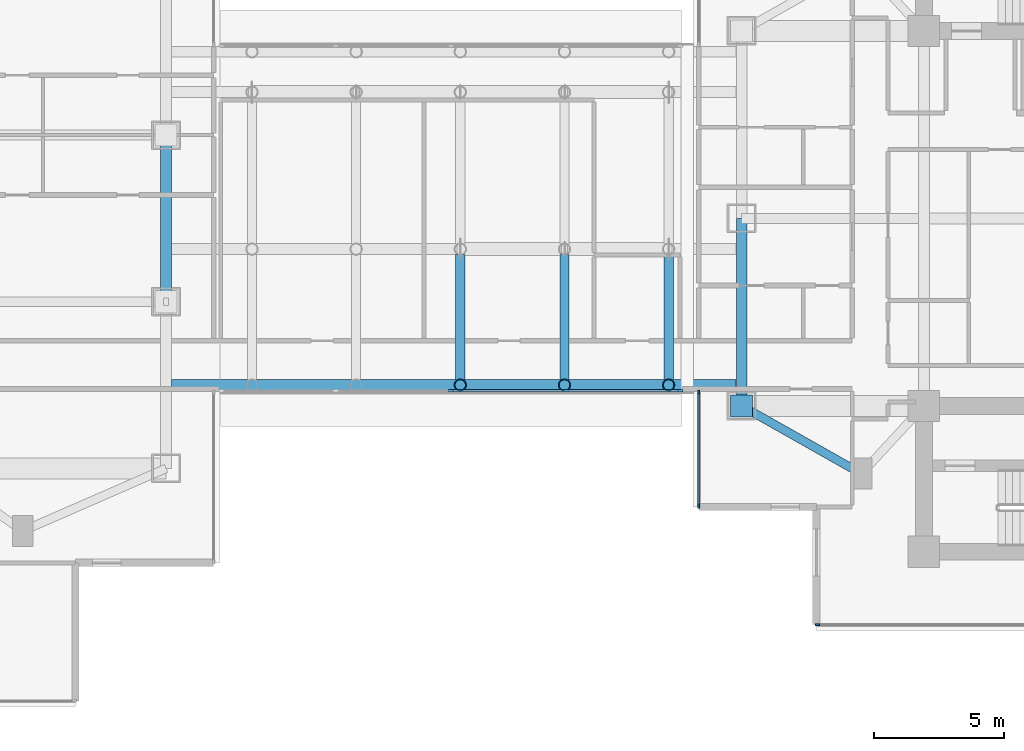
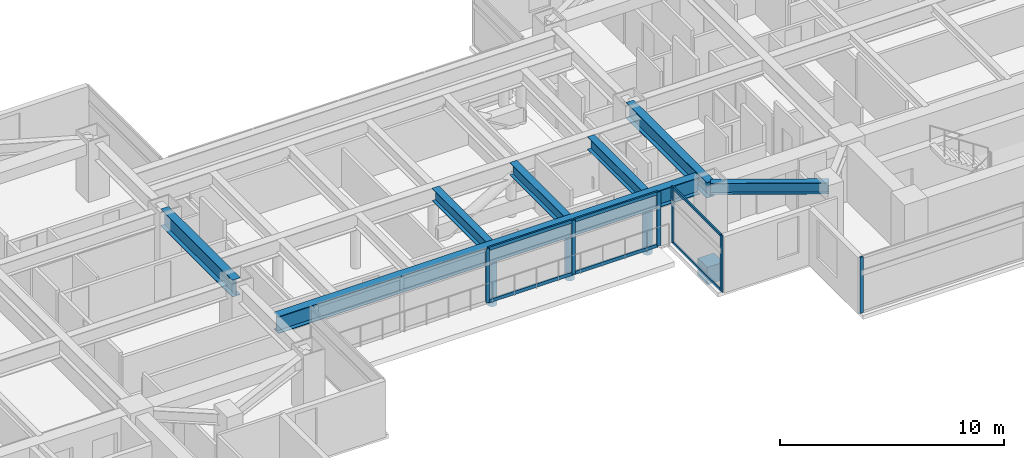
# One storey, part 5 of 29: 16 members, 7 beams, 3 elements without a shape of their own.
"""IFC4 building model written with IfcOpenShell, lengths in metres."""

import ifcopenshell
import ifcopenshell.guid

model = None  # the IFC model being written
_history = None  # IfcOwnerHistory: only IFC2X3 demands one
_inside = {}  # id of a spatial element -> (the spatial element, [elements in it])
_under = {}  # id of a project, library or spatial element -> (it, [spatial elements below it])
_declared = {}  # id of a project -> (the project, [libraries it declares])
_typed = {}  # id of a type object -> (the type object, [elements of that type])
_made_of = {}  # id of a material, layer set ... -> (it, [elements and type objects made of it])


def new_model(schema):
    """Start an empty IFC model of exactly this schema.

    Asked for "IFC4X3", IfcOpenShell would pick the latest addendum, in which some entities
    have other attributes; the version numbers below select the first issue.
    IFC2X3 requires an IfcOwnerHistory on every rooted entity: one is made here for all.
    """
    global model, _history
    if schema == "IFC4X3":
        model = ifcopenshell.file(schema_version=(4, 3, 0, 0))
    else:
        model = ifcopenshell.file(schema=schema)
    _inside.clear()
    _under.clear()
    _declared.clear()
    _typed.clear()
    _made_of.clear()
    _history = None
    if model.schema == "IFC2X3":
        org = make("IfcOrganization", Name="unknown")
        user = make(
            "IfcPersonAndOrganization",
            ThePerson=make("IfcPerson", FamilyName="unknown"),
            TheOrganization=org,
        )
        app = make(
            "IfcApplication",
            ApplicationDeveloper=org,
            Version="unknown",
            ApplicationFullName="unknown",
            ApplicationIdentifier="unknown",
        )
        _history = make(
            "IfcOwnerHistory",
            OwningUser=user,
            OwningApplication=app,
            ChangeAction="ADDED",
            CreationDate=0,
        )
    return model


def make(cls, **values):
    """One entity of the class cls with the attributes given. An attribute that is None is left unset."""
    return model.create_entity(
        cls, **{name: value for name, value in values.items() if value is not None}
    )


def rooted(cls, **values):
    """An entity with a GlobalId (a new one), such as an element, a storey or a relation."""
    return make(cls, GlobalId=ifcopenshell.guid.new(), OwnerHistory=_history, **values)


def si_unit(unit_type, name, prefix=None):
    """IfcSIUnit, for example si_unit("LENGTHUNIT", "METRE", prefix="MILLI")."""
    return make("IfcSIUnit", UnitType=unit_type, Prefix=prefix, Name=name)


def assignment(units):
    """IfcUnitAssignment: the units of a project."""
    return None if units is None else make("IfcUnitAssignment", Units=units)


def point(xyz):
    """IfcCartesianPoint."""
    return None if xyz is None else make("IfcCartesianPoint", Coordinates=xyz)


def direction(xyz):
    """IfcDirection."""
    return None if xyz is None else make("IfcDirection", DirectionRatios=xyz)


def frame(location, z_axis=None, x_axis=None):
    """IfcAxis2Placement3D, a coordinate frame: its origin and axes. An axis left out is left unset."""
    return make(
        "IfcAxis2Placement3D",
        Location=point(location),
        Axis=direction(z_axis),
        RefDirection=direction(x_axis),
    )


def frame_2d(location, x_axis=None):
    """IfcAxis2Placement2D, a coordinate frame in the plane: its origin and x axis."""
    return make(
        "IfcAxis2Placement2D", Location=point(location), RefDirection=direction(x_axis)
    )


def origin():
    """The frame at (0, 0, 0) with its axes left unset."""
    return frame((0.0, 0.0, 0.0))


def origin_2d():
    """The frame at (0, 0) in the plane with its x axis left unset."""
    return frame_2d((0.0, 0.0))


def place(relative_to, where):
    """IfcLocalPlacement: puts the frame where relative to a parent placement (None: the world)."""
    return make(
        "IfcLocalPlacement", PlacementRelTo=relative_to, RelativePlacement=where
    )


def context(
    kind, dimensions, precision=None, world=None, true_north=None, identifier=None
):
    """IfcGeometricRepresentationContext, for example the 3D "Model" context."""
    return make(
        "IfcGeometricRepresentationContext",
        ContextIdentifier=identifier,
        ContextType=kind,
        CoordinateSpaceDimension=dimensions,
        Precision=precision,
        WorldCoordinateSystem=world,
        TrueNorth=true_north,
    )


def subcontext(parent, identifier, kind, view, scale=None):
    """IfcGeometricRepresentationSubContext, for example "Body" below "Model"."""
    return make(
        "IfcGeometricRepresentationSubContext",
        ContextIdentifier=identifier,
        ContextType=kind,
        ParentContext=parent,
        TargetScale=scale,
        TargetView=view,
    )


def project(units=None, contexts=None):
    """IfcProject with its units and contexts."""
    return rooted(
        "IfcProject",
        Name="project",
        RepresentationContexts=contexts,
        UnitsInContext=assignment(units),
    )


def spatial(cls, under=None, at=None, **own):
    """A site, building, storey or space (cls), placed at a placement, below another one or the project."""
    s = rooted(cls, ObjectPlacement=at, **own)
    if under is not None:
        _under.setdefault(under.id(), (under, []))[1].append(s)
    return s


def profile(cls, at=None, kind="AREA", **sizes):
    """A parametric profile (cls). Its sizes go by their IFC names, for example OverallWidth=200.0."""
    return make(cls, ProfileType=kind, Position=at, **sizes)


def rectangle(**sizes):
    """IfcRectangleProfileDef."""
    return profile("IfcRectangleProfileDef", **sizes)


def hollow_circle(**sizes):
    """IfcCircleHollowProfileDef."""
    return profile("IfcCircleHollowProfileDef", **sizes)


def i_section(**sizes):
    """IfcIShapeProfileDef."""
    return profile("IfcIShapeProfileDef", **sizes)


def extrude(swept, where, along, depth):
    """IfcExtrudedAreaSolid: the profile swept, set in the frame where, extruded along a direction by depth."""
    return make(
        "IfcExtrudedAreaSolid",
        SweptArea=swept,
        Position=where,
        ExtrudedDirection=direction(along),
        Depth=depth,
    )


def shape(context_of_items, identifier, shape_type, items):
    """IfcShapeRepresentation: the items that make up one representation, for example the "Body"."""
    return make(
        "IfcShapeRepresentation",
        ContextOfItems=context_of_items,
        RepresentationIdentifier=identifier,
        RepresentationType=shape_type,
        Items=items,
    )


def material(Name=None, Category=None):
    """IfcMaterial."""
    return make("IfcMaterial", Name=Name, Category=Category)


def material_profile(
    of_material, cross_section, Name=None, Category=None, Priority=None
):
    """IfcMaterialProfile: a cross section and its material."""
    return make(
        "IfcMaterialProfile",
        Name=Name,
        Material=of_material,
        Profile=cross_section,
        Priority=Priority,
        Category=Category,
    )


def profile_set(profiles, Name=None, composite=None):
    """IfcMaterialProfileSet."""
    return make(
        "IfcMaterialProfileSet",
        Name=Name,
        MaterialProfiles=profiles,
        CompositeProfile=composite,
    )


def made_of(thing, what):
    """Note that an element or type object is made of a material, layer set ...; save() writes the relation."""
    if what is not None:
        _made_of.setdefault(what.id(), (what, []))[1].append(thing)
    return thing


def type_object(cls, material=None, **own):
    """A type object (cls), such as IfcWallType, which elements share."""
    return made_of(rooted(cls, **own), material)


def element(
    cls,
    number,
    at=None,
    inside=None,
    cuts=None,
    type_object=None,
    material=None,
    context=None,
    identifier="Body",
    shape_type=None,
    held_by="IfcProductDefinitionShape",
    body=None,
    shapes=None,
    **own,
):
    """One element of the class cls, such as IfcWall. Its Tag is "e" and its number.

    at: its placement. inside: the storey or other place that contains it. cuts: it is an
    opening in that element (IfcRelVoidsElement). A single representation is given by context,
    identifier, shape_type and body (its items); several are given by shapes. held_by: the class
    of the entity that holds the representations. save() writes the other relations.
    """
    e = rooted(cls, Tag="e%d" % number, ObjectPlacement=at, **own)
    if body is not None:
        shapes = [shape(context, identifier, shape_type, body)]
    if shapes is not None:
        e.Representation = make(held_by, Representations=shapes)
    if inside is not None:
        _inside.setdefault(inside.id(), (inside, []))[1].append(e)
    if cuts is not None:
        rooted(
            "IfcRelVoidsElement", RelatingBuildingElement=cuts, RelatedOpeningElement=e
        )
    if type_object is not None:
        _typed.setdefault(type_object.id(), (type_object, []))[1].append(e)
    return made_of(e, material)


def aggregate(whole, parts):
    """IfcRelAggregates: a whole, such as a stair, and the parts it consists of."""
    return rooted("IfcRelAggregates", RelatingObject=whole, RelatedObjects=parts)


def save(model, path):
    """Write the relations noted so far, then the file.

    IfcRelAggregates (storeys below a building ...), IfcRelContainedInSpatialStructure (elements
    in a storey), IfcRelDefinesByType, IfcRelAssociatesMaterial and IfcRelDeclares: one each for
    every whole, place, type object, material and project.
    """
    for whole, parts in _under.values():
        aggregate(whole, parts)
    for where, things in _inside.values():
        rooted(
            "IfcRelContainedInSpatialStructure",
            RelatedElements=things,
            RelatingStructure=where,
        )
    for kind, things in _typed.values():
        rooted("IfcRelDefinesByType", RelatedObjects=things, RelatingType=kind)
    for what, things in _made_of.values():
        rooted("IfcRelAssociatesMaterial", RelatedObjects=things, RelatingMaterial=what)
    for by, libraries in _declared.values():
        rooted("IfcRelDeclares", RelatingContext=by, RelatedDefinitions=libraries)
    model.write(path)


model = new_model("IFC4")

# Units and contexts
model_context = context("Model", 3, precision=1e-05, world=origin(), true_north=direction((0.0, 1.0)))
body_context = subcontext(model_context, "Body", "Model", "MODEL_VIEW")
ifc_project = project(units=[si_unit("LENGTHUNIT", "METRE"), si_unit("AREAUNIT", "SQUARE_METRE"), si_unit("VOLUMEUNIT", "CUBIC_METRE"), si_unit("PLANEANGLEUNIT", "RADIAN"), si_unit("MASSUNIT", "GRAM", prefix="KILO")], contexts=[model_context])

# Site, building, storey
site_placement = place(None, origin())
site = spatial("IfcSite", under=ifc_project, at=site_placement, CompositionType="ELEMENT")
building_placement = place(site_placement, origin())
building = spatial("IfcBuilding", under=site, at=building_placement, Name="Mirazonda Arch Towers", CompositionType="ELEMENT")
storey_placement = place(building_placement, frame((0.0, 0.0, 88.39990234375)))
storey = spatial("IfcBuildingStorey", under=building, at=storey_placement, Name="L24", CompositionType="ELEMENT", Elevation=88.39990234375)

# Beams
ifc_material_1 = material(Name="Steel ASTM A992 Grade 50", Category="steel")
ifc_material_profile_1 = material_profile(ifc_material_1, i_section(OverallWidth=0.39990234375, OverallDepth=0.85595703125, WebThickness=0.018310546875, FlangeThickness=0.029296875, at=origin_2d()), Name="W33X201")
ifc_profile_set_1 = profile_set([ifc_material_profile_1], Name="Steel ASTM A992 Grade 50")
beam_type_1 = type_object("IfcBeamType", Name="BM-EXT-W33X201", PredefinedType="USERDEFINED", material=ifc_profile_set_1)
beam_1_placement = place(storey_placement, frame((61.0, 20.800048828125, 2.652099609375), z_axis=(0.0, 1.0, 0.0), x_axis=(-1.0, 0.0, 0.0)))
element("IfcBeam", 1, at=beam_1_placement, inside=storey, type_object=beam_type_1, Name="L24 Floor Beam BM-T2-L24-NS-W-20", ObjectType="GIRDER", PredefinedType="USERDEFINED", context=body_context, shape_type="SweptSolid", body=[
    extrude(i_section(OverallWidth=0.39990234375, OverallDepth=0.85595703125, WebThickness=0.018310546875, FlangeThickness=0.029296875, at=origin_2d()), origin(), (0.0, 0.0, 1.0), 7.199951171875),
])
ifc_material_profile_2 = material_profile(ifc_material_1, i_section(OverallWidth=0.41796875, OverallDepth=0.927001953125, WebThickness=0.019287109375, FlangeThickness=0.031982421875, at=origin_2d()), Name="W36X231")
ifc_profile_set_2 = profile_set([ifc_material_profile_2], Name="Steel ASTM A992 Grade 50")
beam_type_2 = type_object("IfcBeamType", Name="BM-EXT-W36X231", PredefinedType="USERDEFINED", material=ifc_profile_set_2)
beam_2_placement = place(storey_placement, frame((38.89990234375, 24.800048828125, 2.61669921875), z_axis=(0.0, 1.0, 0.0), x_axis=(-1.0, 0.0, 0.0)))
element("IfcBeam", 2, at=beam_2_placement, inside=storey, type_object=beam_type_2, Name="L24 Floor Beam BM-T1-L24-NS-E-24", ObjectType="GIRDER", PredefinedType="USERDEFINED", context=body_context, shape_type="SweptSolid", body=[
    extrude(i_section(OverallWidth=0.41796875, OverallDepth=0.927001953125, WebThickness=0.019287109375, FlangeThickness=0.031982421875, at=origin_2d()), origin(), (0.0, 0.0, 1.0), 6.39990234375),
])
beam_3_placement = place(storey_placement, frame((39.10400390625, 21.60009765625, 2.556640625), z_axis=(1.0, 0.0, 0.0), x_axis=(0.0, 1.0, 0.0)))
element("IfcBeam", 3, at=beam_3_placement, inside=storey, type_object=beam_type_2, Name="L25 Skybridge S Longitudinal Box Girder", ObjectType="GIRDER", PredefinedType="USERDEFINED", context=body_context, shape_type="SweptSolid", body=[
    extrude(i_section(OverallWidth=0.41796875, OverallDepth=0.927001953125, WebThickness=0.019287109375, FlangeThickness=0.031982421875, at=origin_2d()), origin(), (0.0, 0.0, 1.0), 21.69189453125),
])
ifc_material_profile_3 = material_profile(ifc_material_1, i_section(OverallWidth=0.324951171875, OverallDepth=0.615966796875, WebThickness=0.013916015625, FlangeThickness=0.021484375, at=origin_2d()), Name="W24X117")
ifc_profile_set_3 = profile_set([ifc_material_profile_3], Name="Steel ASTM A992 Grade 50")
beam_type_3 = type_object("IfcBeamType", Name="BM-INT-W24X117", PredefinedType="BEAM", material=ifc_profile_set_3)
beam_4_placement = place(storey_placement, frame((65.60009765625, 18.199951171875, 2.772216796875), z_axis=(-0.870559396632, 0.492063346467, 0.0), x_axis=(-0.492063346467, -0.870559396632, 0.0)))
element("IfcBeam", 4, at=beam_4_placement, inside=storey, type_object=beam_type_3, Name="L24 Floor Beam BM-T2-L24-PL-SW2", PredefinedType="BEAM", context=body_context, shape_type="SweptSolid", body=[
    extrude(i_section(OverallWidth=0.324951171875, OverallDepth=0.615966796875, WebThickness=0.013916015625, FlangeThickness=0.021484375, at=origin_2d()), origin(), (0.0, 0.0, 1.0), 5.2841796875),
])
ifc_material_profile_4 = material_profile(ifc_material_1, i_section(OverallWidth=0.35498046875, OverallDepth=0.696044921875, WebThickness=0.015380859375, FlangeThickness=0.02490234375, at=origin_2d()), Name="W27X146")
ifc_profile_set_4 = profile_set([ifc_material_profile_4], Name="Steel ASTM A992 Grade 50")
beam_type_4 = type_object("IfcBeamType", Name="BM-INT-W27X146", PredefinedType="BEAM", material=ifc_profile_set_4)
for number, where, z_axis, x_axis, name in (
    (5, (50.199951171875, 21.803955078125, 2.672119140625), (0.0, 1.0, 0.0), (-1.0, 0.0, 0.0), "L24 Floor Beam BM-BRG-L25-XG3A"),
    (6, (54.199951171875, 21.803955078125, 2.672119140625), (0.0, 1.0, 0.0), (-1.0, 0.0, 0.0), "L24 Floor Beam BM-BRG-L25-XG4A"),
    (7, (58.199951171875, 21.803955078125, 2.672119140625), (0.0, 1.0, 0.0), (-1.0, 0.0, 0.0), "L24 Floor Beam BM-BRG-L25-XG5A"),
):
    element("IfcBeam", number, at=place(storey_placement, frame(where, z_axis=z_axis, x_axis=x_axis)), inside=storey, type_object=beam_type_4, Name=name, PredefinedType="BEAM", context=body_context, shape_type="SweptSolid", body=[
        extrude(i_section(OverallWidth=0.35498046875, OverallDepth=0.696044921875, WebThickness=0.015380859375, FlangeThickness=0.02490234375, at=origin_2d()), origin(), (0.0, 0.0, 1.0), 4.81201171875),
    ])

# Members
ifc_material_2 = material(Name="Steel ASTM A572 Grade 50", Category="steel")
ifc_material_profile_5 = material_profile(ifc_material_2, hollow_circle(Radius=0.228515625, WallThickness=0.02197265625, at=origin_2d()), Name="BELTSTRUT457x22CHS")
ifc_profile_set_5 = profile_set([ifc_material_profile_5], Name="Steel ASTM A572 Grade 50")
member_type_1 = type_object("IfcMemberType", Name="MBR-EXT-BELTSTRUT457x22CHS", PredefinedType="STRUT", material=ifc_profile_set_5)
for number, where, z_axis, x_axis, name in (
    (8, (50.199951171875, 21.60009765625, -0.289794921875), (0.0, 0.0, 1.0), (1.0, 0.0, 0.0), "L24 Skybridge S Vierendeel Post 3"),
    (9, (54.199951171875, 21.60009765625, -0.289794921875), (0.0, 0.0, 1.0), (1.0, 0.0, 0.0), "L24 Skybridge S Vierendeel Post 4"),
    (10, (58.199951171875, 21.60009765625, -0.289794921875), (0.0, 0.0, 1.0), (1.0, 0.0, 0.0), "L24 Skybridge S Vierendeel Post 5"),
):
    element("IfcMember", number, at=place(storey_placement, frame(where, z_axis=z_axis, x_axis=x_axis)), inside=storey, type_object=member_type_1, Name=name, PredefinedType="STRUT", context=body_context, shape_type="SweptSolid", body=[
        extrude(hollow_circle(Radius=0.228515625, WallThickness=0.02197265625, at=origin_2d()), origin(), (0.0, 0.0, 1.0), 2.392822265625),
    ])
ifc_material_profile_6 = material_profile(ifc_material_2, rectangle(XDim=0.85009765625, YDim=0.85009765625, at=origin_2d()), Name="SLIDEBEARING850x850x220")
ifc_profile_set_6 = profile_set([ifc_material_profile_6], Name="Steel ASTM A572 Grade 50")
member_type_2 = type_object("IfcMemberType", Name="MBR-EXT-SLIDEBEARING850x850x220", PredefinedType="USERDEFINED", material=ifc_profile_set_6)
member_1_placement = place(storey_placement, frame((61.0, 20.800048828125, -2.156982421875), z_axis=(0.0, 0.0, 1.0), x_axis=(1.0, 0.0, 0.0)))
element("IfcMember", 11, at=member_1_placement, inside=storey, type_object=member_type_2, Name="SB2 Skybridge Bearing BRG-BEAR-SB2-1", ObjectType="BEARING", PredefinedType="USERDEFINED", context=body_context, shape_type="SweptSolid", body=[
    extrude(rectangle(XDim=0.85009765625, YDim=0.85009765625, at=origin_2d()), origin(), (0.0, 0.0, 1.0), 0.9501953125),
])

# Curtain wall, members
ifc_material_3 = material(Name="Anodised Aluminium and Low-E Glass", Category="aluminium")
curtain_wall_type_1 = type_object("IfcCurtainWallType", Name="CW-BRG-LINK", PredefinedType="NOTDEFINED", material=ifc_material_3)
curtain_wall_1_placement = place(storey_placement, origin())
curtain_wall_1 = element("IfcCurtainWall", 12, at=curtain_wall_1_placement, inside=storey, type_object=curtain_wall_type_1, Name="L24 Skybridge South Glazing CW-L24-BRG-S", PredefinedType="NOTDEFINED")
ifc_material_4 = material(Name="Anodised Aluminium Alloy", Category="aluminium")
ifc_material_profile_7 = material_profile(ifc_material_4, rectangle(XDim=0.0849609375, YDim=0.199951171875, at=origin_2d()), Name="ALU-MULL-85x200")
ifc_profile_set_7 = profile_set([ifc_material_profile_7], Name="Anodised Aluminium Alloy")
member_type_3 = type_object("IfcMemberType", Name="MULL-CW-BRG-LINK", PredefinedType="MULLION", material=ifc_profile_set_7)
member_2_placement = place(storey_placement, frame((58.64501953125, 21.3798828125, 0.06005859375), z_axis=(0.0, 0.0, 1.0), x_axis=(0.0, -1.0, 0.0)))
member_2 = element("IfcMember", 13, at=member_2_placement, type_object=member_type_3, Name="CW-103 mullion 1", PredefinedType="MULLION", context=body_context, shape_type="SweptSolid", body=[
    extrude(rectangle(XDim=0.0849609375, YDim=0.199951171875, at=origin_2d()), origin(), (0.0, 0.0, 1.0), 2.93994140625),
])
member_3_placement = place(storey_placement, frame((54.26318359375, 21.3798828125, 0.06005859375), z_axis=(0.0, 0.0, 1.0), x_axis=(0.0, -1.0, 0.0)))
member_3 = element("IfcMember", 14, at=member_3_placement, type_object=member_type_3, Name="CW-103 mullion 2", PredefinedType="MULLION", context=body_context, shape_type="SweptSolid", body=[
    extrude(rectangle(XDim=0.0849609375, YDim=0.199951171875, at=origin_2d()), origin(), (0.0, 0.0, 1.0), 2.93994140625),
])
member_4_placement = place(storey_placement, frame((49.8388671875, 21.3798828125, 0.06005859375), z_axis=(0.0, 0.0, 1.0), x_axis=(0.0, -1.0, 0.0)))
member_4 = element("IfcMember", 15, at=member_4_placement, type_object=member_type_3, Name="CW-103 mullion 3", PredefinedType="MULLION", context=body_context, shape_type="SweptSolid", body=[
    extrude(rectangle(XDim=0.0849609375, YDim=0.199951171875, at=origin_2d()), origin(), (0.0, 0.0, 1.0), 2.93994140625),
])

# Curtain wall, member
curtain_wall_type_2 = type_object("IfcCurtainWallType", Name="CW-HTL-UNIT", PredefinedType="NOTDEFINED", material=ifc_material_3)
curtain_wall_2_placement = place(storey_placement, origin())
curtain_wall_2 = element("IfcCurtainWall", 16, at=curtain_wall_2_placement, inside=storey, type_object=curtain_wall_type_2, Name="L24 T2 S Facade CW-L24-T2-S", PredefinedType="NOTDEFINED")
ifc_material_profile_8 = material_profile(ifc_material_4, rectangle(XDim=0.074951171875, YDim=0.1650390625, at=origin_2d()), Name="ALU-MULL-75x165")
ifc_profile_set_8 = profile_set([ifc_material_profile_8], Name="Anodised Aluminium Alloy")
member_type_4 = type_object("IfcMemberType", Name="MULL-CW-HTL-UNIT", PredefinedType="MULLION", material=ifc_profile_set_8)
member_5_placement = place(storey_placement, frame((63.911376953125, 12.402587890625, 0.0), z_axis=(0.0, 0.0, 1.0), x_axis=(0.0, -1.0, 0.0)))
member_5 = element("IfcMember", 17, at=member_5_placement, type_object=member_type_4, Name="CW-112 mullion 4", PredefinedType="MULLION", context=body_context, shape_type="SweptSolid", body=[
    extrude(rectangle(XDim=0.074951171875, YDim=0.1650390625, at=origin_2d()), origin(), (0.0, 0.0, 1.0), 3.06005859375),
])
aggregate(curtain_wall_2, [member_5])

# Curtain wall, members
curtain_wall_3_placement = place(storey_placement, origin())
curtain_wall_3 = element("IfcCurtainWall", 18, at=curtain_wall_3_placement, inside=storey, type_object=curtain_wall_type_2, Name="L24 Curtain Wall CW-L24-T2-W2", PredefinedType="NOTDEFINED")
member_6_placement = place(storey_placement, frame((59.357421875, 21.322509765625, 0.0), z_axis=(0.0, 0.0, 1.0), x_axis=(1.0, 0.0, 0.0)))
member_6 = element("IfcMember", 19, at=member_6_placement, type_object=member_type_4, Name="CW-112 mullion 1", PredefinedType="MULLION", context=body_context, shape_type="SweptSolid", body=[
    extrude(rectangle(XDim=0.074951171875, YDim=0.1650390625, at=origin_2d()), origin(), (0.0, 0.0, 1.0), 3.06005859375),
])
member_7_placement = place(storey_placement, frame((59.357421875, 16.956298828125, 0.0), z_axis=(0.0, 0.0, 1.0), x_axis=(1.0, 0.0, 0.0)))
member_7 = element("IfcMember", 20, at=member_7_placement, type_object=member_type_4, Name="CW-112 mullion 2", PredefinedType="MULLION", context=body_context, shape_type="SweptSolid", body=[
    extrude(rectangle(XDim=0.074951171875, YDim=0.1650390625, at=origin_2d()), origin(), (0.0, 0.0, 1.0), 3.06005859375),
])

# Member
ifc_material_profile_9 = material_profile(ifc_material_4, rectangle(XDim=0.0849609375, YDim=0.179931640625, at=origin_2d()), Name="ALU-TRAN-85x180")
ifc_profile_set_9 = profile_set([ifc_material_profile_9], Name="Anodised Aluminium Alloy")
member_type_5 = type_object("IfcMemberType", Name="TRAN-CW-BRG-LINK", PredefinedType="USERDEFINED", material=ifc_profile_set_9)
member_8_placement = place(storey_placement, frame((58.6025390625, 21.3798828125, 0.1025390625), z_axis=(-1.0, 0.0, 0.0), x_axis=(0.0, -1.0, 0.0)))
member_8 = element("IfcMember", 21, at=member_8_placement, type_object=member_type_5, Name="CW-103 transom 1.1", ObjectType="TRANSOM", PredefinedType="USERDEFINED", context=body_context, shape_type="SweptSolid", body=[
    extrude(rectangle(XDim=0.0849609375, YDim=0.179931640625, at=origin_2d()), origin(), (0.0, 0.0, 1.0), 4.296875),
])

member_9_placement = place(storey_placement, frame((58.6025390625, 21.3798828125, 2.95751953125), z_axis=(-1.0, 0.0, 0.0), x_axis=(0.0, -1.0, 0.0)))
member_9 = element("IfcMember", 22, at=member_9_placement, type_object=member_type_5, Name="CW-103 transom 1.2", ObjectType="TRANSOM", PredefinedType="USERDEFINED", context=body_context, shape_type="SweptSolid", body=[
    extrude(rectangle(XDim=0.0849609375, YDim=0.179931640625, at=origin_2d()), origin(), (0.0, 0.0, 1.0), 4.296875),
])

member_10_placement = place(storey_placement, frame((54.220703125, 21.3798828125, 0.1025390625), z_axis=(-1.0, 0.0, 0.0), x_axis=(0.0, -1.0, 0.0)))
member_10 = element("IfcMember", 23, at=member_10_placement, type_object=member_type_5, Name="CW-103 transom 2.1", ObjectType="TRANSOM", PredefinedType="USERDEFINED", context=body_context, shape_type="SweptSolid", body=[
    extrude(rectangle(XDim=0.0849609375, YDim=0.179931640625, at=origin_2d()), origin(), (0.0, 0.0, 1.0), 4.33935546875),
])

member_11_placement = place(storey_placement, frame((54.220703125, 21.3798828125, 2.95751953125), z_axis=(-1.0, 0.0, 0.0), x_axis=(0.0, -1.0, 0.0)))
member_11 = element("IfcMember", 24, at=member_11_placement, type_object=member_type_5, Name="CW-103 transom 2.2", ObjectType="TRANSOM", PredefinedType="USERDEFINED", context=body_context, shape_type="SweptSolid", body=[
    extrude(rectangle(XDim=0.0849609375, YDim=0.179931640625, at=origin_2d()), origin(), (0.0, 0.0, 1.0), 4.33935546875),
])

aggregate(curtain_wall_1, [member_2, member_3, member_4, member_8, member_9, member_10, member_11])

ifc_material_profile_10 = material_profile(ifc_material_4, rectangle(XDim=0.074951171875, YDim=0.14501953125, at=origin_2d()), Name="ALU-TRAN-75x145")
ifc_profile_set_10 = profile_set([ifc_material_profile_10], Name="Anodised Aluminium Alloy")
member_type_6 = type_object("IfcMemberType", Name="TRAN-CW-HTL-UNIT", PredefinedType="USERDEFINED", material=ifc_profile_set_10)
member_12_placement = place(storey_placement, frame((59.357421875, 21.284912109375, 0.03759765625), z_axis=(0.0, -1.0, 0.0), x_axis=(1.0, 0.0, 0.0)))
member_12 = element("IfcMember", 25, at=member_12_placement, type_object=member_type_6, Name="CW-112 transom 1.1", ObjectType="TRANSOM", PredefinedType="USERDEFINED", context=body_context, shape_type="SweptSolid", body=[
    extrude(rectangle(XDim=0.074951171875, YDim=0.14501953125, at=origin_2d()), origin(), (0.0, 0.0, 1.0), 4.291015625),
])

member_13_placement = place(storey_placement, frame((59.357421875, 21.284912109375, 3.022705078125), z_axis=(0.0, -1.0, 0.0), x_axis=(1.0, 0.0, 0.0)))
member_13 = element("IfcMember", 26, at=member_13_placement, type_object=member_type_6, Name="CW-112 transom 1.2", ObjectType="TRANSOM", PredefinedType="USERDEFINED", context=body_context, shape_type="SweptSolid", body=[
    extrude(rectangle(XDim=0.074951171875, YDim=0.14501953125, at=origin_2d()), origin(), (0.0, 0.0, 1.0), 4.291015625),
])

aggregate(curtain_wall_3, [member_6, member_7, member_12, member_13])

save(model, "model.ifc")
